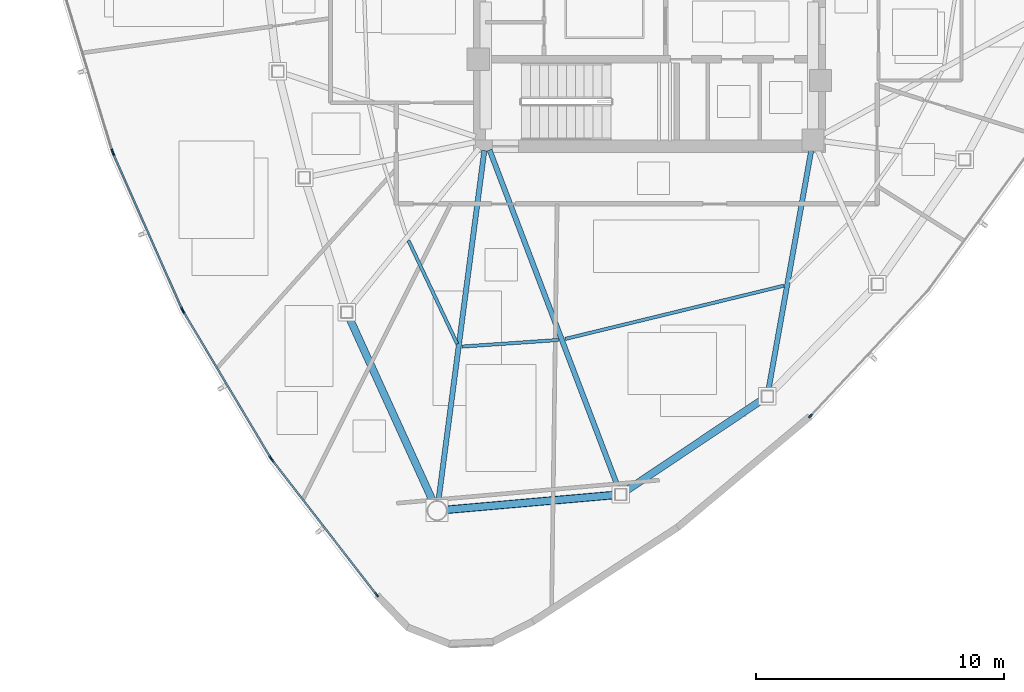
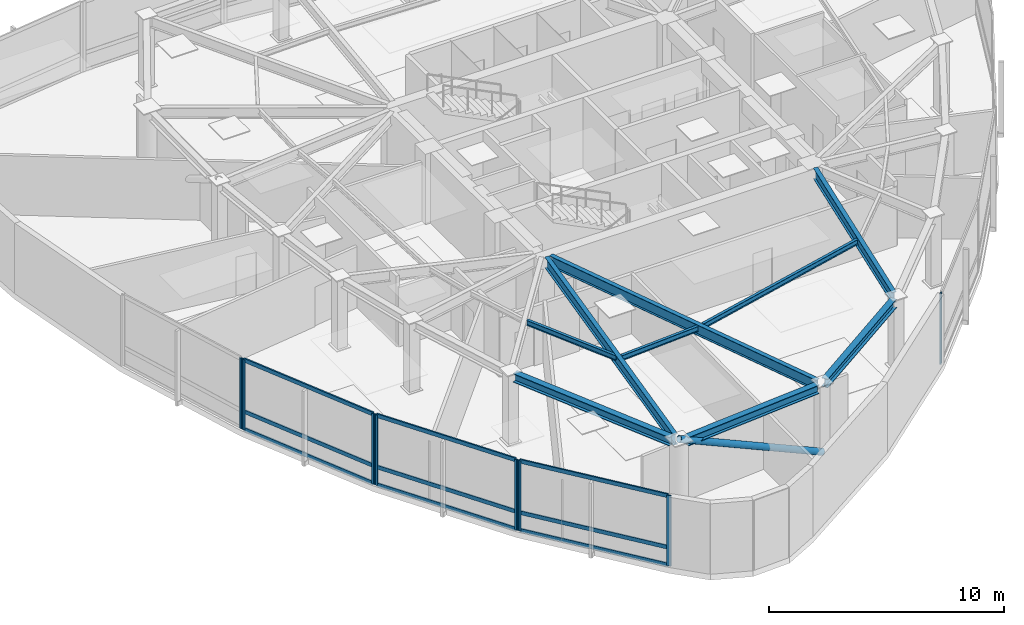
# One storey, part 2 of 14: 18 members, 9 beams, 5 elements without a shape of their own.
"""IFC4 building model written with IfcOpenShell, lengths in metres."""

from ifc_helpers import new_model, si_unit, direction, frame, origin, origin_2d, place, context, subcontext, project, spatial, hollow_rectangle, hollow_circle, i_section, extrude, source, transform, mapped, material, layer, layer_set, material_profile, profile_set, type_object, type_shapes, element, aggregate, save


model = new_model("IFC4")

# Units and contexts
model_context = context("Model", 3, precision=1e-05, world=origin(), true_north=direction((0.0, 1.0)))
body_context = subcontext(model_context, "Body", "Model", "MODEL_VIEW")
ifc_project = project(units=[si_unit("LENGTHUNIT", "METRE"), si_unit("AREAUNIT", "SQUARE_METRE"), si_unit("VOLUMEUNIT", "CUBIC_METRE"), si_unit("PLANEANGLEUNIT", "RADIAN"), si_unit("MASSUNIT", "GRAM", prefix="KILO")], contexts=[model_context])

# Site, building, storey
site_placement = place(None, origin())
site = spatial("IfcSite", under=ifc_project, at=site_placement, CompositionType="ELEMENT")
building_placement = place(site_placement, origin())
building = spatial("IfcBuilding", under=site, at=building_placement, Name="Tavelor Broadcast Tower", CompositionType="ELEMENT")
storey_placement = place(building_placement, frame((0.0, 0.0, 253.75)))
storey = spatial("IfcBuildingStorey", under=building, at=storey_placement, Name="L60", CompositionType="ELEMENT", Elevation=253.75)

# Beams
ifc_material_1 = material(Name="Steel S355", Category="steel")
ifc_material_profile_1 = material_profile(ifc_material_1, i_section(OverallWidth=0.135009765625, OverallDepth=0.27001953125, WebThickness=0.006591796875, FlangeThickness=0.01025390625, at=origin_2d()), Name="IPE 270")
ifc_profile_set_1 = profile_set([ifc_material_profile_1], Name="Steel S355")
beam_type_1 = type_object("IfcBeamType", Name="Composite Floor Joist T6 IPE 270", PredefinedType="JOIST", material=ifc_profile_set_1)
beam_1_placement = place(storey_placement, frame((40.28466796875, 34.7451171875, 3.514892578125), z_axis=(0.426527038786, -0.904474811802, 0.0), x_axis=(0.904474811802, 0.426527038786, 0.0)))
element("IfcBeam", 1, at=beam_1_placement, inside=storey, type_object=beam_type_1, Name="L60 Secondary Composite Floor Joist 06", PredefinedType="JOIST", context=body_context, shape_type="SweptSolid", body=[
    extrude(i_section(OverallWidth=0.135009765625, OverallDepth=0.27001953125, WebThickness=0.006591796875, FlangeThickness=0.01025390625, at=origin_2d()), origin(), (0.0, 0.0, 1.0), 4.60546875),
])
beam_2_placement = place(storey_placement, frame((42.440185546875, 30.46728515625, 3.514892578125), z_axis=(0.997669102567, 0.068237539396, 0.0), x_axis=(-0.068237539396, 0.997669102567, 0.0)))
element("IfcBeam", 2, at=beam_2_placement, inside=storey, type_object=beam_type_1, Name="L60 Secondary Composite Floor Joist 07", PredefinedType="JOIST", context=body_context, shape_type="SweptSolid", body=[
    extrude(i_section(OverallWidth=0.135009765625, OverallDepth=0.27001953125, WebThickness=0.006591796875, FlangeThickness=0.01025390625, at=origin_2d()), origin(), (0.0, 0.0, 1.0), 3.9033203125),
])
beam_3_placement = place(storey_placement, frame((46.598876953125, 30.7744140625, 3.514892578125), z_axis=(0.971610196631, 0.236587459098, 0.0), x_axis=(-0.236587459098, 0.971610196631, 0.0)))
element("IfcBeam", 3, at=beam_3_placement, inside=storey, type_object=beam_type_1, Name="L60 Secondary Composite Floor Joist 08", PredefinedType="JOIST", context=body_context, shape_type="SweptSolid", body=[
    extrude(i_section(OverallWidth=0.135009765625, OverallDepth=0.27001953125, WebThickness=0.006591796875, FlangeThickness=0.01025390625, at=origin_2d()), origin(), (0.0, 0.0, 1.0), 9.0849609375),
])
ifc_material_profile_2 = material_profile(ifc_material_1, i_section(OverallWidth=0.300048828125, OverallDepth=0.449951171875, WebThickness=0.013916015625, FlangeThickness=0.02587890625, at=origin_2d()), Name="HEB 450")
ifc_profile_set_2 = profile_set([ifc_material_profile_2], Name="Steel S355")
beam_type_2 = type_object("IfcBeamType", Name="Perimeter Spandrel Beam T6 HEB 450", PredefinedType="SPANDREL", material=ifc_profile_set_2)
beam_4_placement = place(storey_placement, frame((37.896484375, 31.635009765625, 3.425048828125), z_axis=(0.414463300231, -0.910066026595, 0.0), x_axis=(0.910066026595, 0.414463300231, 0.0)))
element("IfcBeam", 4, at=beam_4_placement, inside=storey, type_object=beam_type_2, Name="L60 Framed-Tube Ring Spandrel 06", PredefinedType="SPANDREL", context=body_context, shape_type="SweptSolid", body=[
    extrude(i_section(OverallWidth=0.300048828125, OverallDepth=0.449951171875, WebThickness=0.013916015625, FlangeThickness=0.02587890625, at=origin_2d()), origin(), (0.0, 0.0, 1.0), 8.16015625),
])
beam_5_placement = place(storey_placement, frame((41.828857421875, 23.887939453125, 3.425048828125), z_axis=(0.996154580768, 0.087613076733, 0.0), x_axis=(-0.087613076733, 0.996154580768, 0.0)))
element("IfcBeam", 5, at=beam_5_placement, inside=storey, type_object=beam_type_2, Name="L60 Framed-Tube Ring Spandrel 07", PredefinedType="SPANDREL", context=body_context, shape_type="SweptSolid", body=[
    extrude(i_section(OverallWidth=0.300048828125, OverallDepth=0.449951171875, WebThickness=0.013916015625, FlangeThickness=0.02587890625, at=origin_2d()), origin(), (0.0, 0.0, 1.0), 6.802001953125),
])
beam_6_placement = place(storey_placement, frame((49.043212890625, 24.638427734375, 3.425048828125), z_axis=(0.83097843332, 0.556304631795, 0.0), x_axis=(-0.556304631795, 0.83097843332, 0.0)))
element("IfcBeam", 6, at=beam_6_placement, inside=storey, type_object=beam_type_2, Name="L60 Framed-Tube Ring Spandrel 08", PredefinedType="SPANDREL", context=body_context, shape_type="SweptSolid", body=[
    extrude(i_section(OverallWidth=0.300048828125, OverallDepth=0.449951171875, WebThickness=0.013916015625, FlangeThickness=0.02587890625, at=origin_2d()), origin(), (0.0, 0.0, 1.0), 6.632568359375),
])

# Member
ifc_material_profile_3 = material_profile(ifc_material_1, hollow_circle(Radius=0.161865234375, WallThickness=0.01611328125, at=origin_2d()), Name="CHS 323.9x16")
ifc_profile_set_3 = profile_set([ifc_material_profile_3], Name="Steel S355")
member_type_1 = type_object("IfcMemberType", Name="Perimeter Tube Brace T6 CHS 323.9x16", PredefinedType="BRACE", material=ifc_profile_set_3)
member_1_placement = place(storey_placement, frame((48.843994140625, 24.5048828125, 0.0), z_axis=(-0.894155458176, -0.07863591001, 0.440797470808), x_axis=(0.087606208465, -0.996155184817, 0.0)))
element("IfcMember", 7, at=member_1_placement, inside=storey, type_object=member_type_1, Name="L60 Corner Tube Diagonal Brace 2", PredefinedType="BRACE", context=body_context, shape_type="SweptSolid", body=[
    extrude(hollow_circle(Radius=0.161865234375, WallThickness=0.01611328125, at=origin_2d()), origin(), (0.0, 0.0, 1.0), 8.2802734375),
])

# Beams
ifc_material_profile_4 = material_profile(ifc_material_1, i_section(OverallWidth=0.2099609375, OverallDepth=0.550048828125, WebThickness=0.010986328125, FlangeThickness=0.01708984375, at=origin_2d()), Name="IPE 550")
ifc_profile_set_4 = profile_set([ifc_material_profile_4], Name="Steel S355")
beam_type_3 = type_object("IfcBeamType", Name="Radial Floor Girder T6 IPE 550", PredefinedType="BEAM", material=ifc_profile_set_4)
beam_7_placement = place(storey_placement, frame((43.34375, 38.37158203125, 3.375), z_axis=(-0.130001183832, -0.991513838634, 0.0), x_axis=(0.991513838634, -0.130001183832, 0.0)))
element("IfcBeam", 8, at=beam_7_placement, inside=storey, type_object=beam_type_3, Name="L60 Radial Primary Floor Girder 07", PredefinedType="BEAM", context=body_context, shape_type="SweptSolid", body=[
    extrude(i_section(OverallWidth=0.2099609375, OverallDepth=0.550048828125, WebThickness=0.010986328125, FlangeThickness=0.01708984375, at=origin_2d()), origin(), (0.0, 0.0, 1.0), 14.251953125),
])
beam_8_placement = place(storey_placement, frame((43.5537109375, 38.396240234375, 3.375), z_axis=(0.355897443136, -0.934525018375, 0.0), x_axis=(0.934525018375, 0.355897443136, 0.0)))
element("IfcBeam", 9, at=beam_8_placement, inside=storey, type_object=beam_type_3, Name="L60 Radial Primary Floor Girder 08", PredefinedType="BEAM", context=body_context, shape_type="SweptSolid", body=[
    extrude(i_section(OverallWidth=0.2099609375, OverallDepth=0.550048828125, WebThickness=0.010986328125, FlangeThickness=0.01708984375, at=origin_2d()), origin(), (0.0, 0.0, 1.0), 14.62451171875),
])
beam_9_placement = place(storey_placement, frame((56.524169921875, 38.374755859375, 3.375), z_axis=(-0.175770007633, -0.984431259366, 0.0), x_axis=(0.984431259366, -0.175770007633, 0.0)))
element("IfcBeam", 10, at=beam_9_placement, inside=storey, type_object=beam_type_3, Name="L60 Radial Primary Floor Girder 09", PredefinedType="BEAM", context=body_context, shape_type="SweptSolid", body=[
    extrude(i_section(OverallWidth=0.2099609375, OverallDepth=0.550048828125, WebThickness=0.010986328125, FlangeThickness=0.01708984375, at=origin_2d()), origin(), (0.0, 0.0, 1.0), 9.829833984375),
])

# Curtain wall, member
ifc_material_2 = material(Name="Architectural Anodized Aluminium", Category="aluminium")
ifc_layer = layer(ifc_material_2, 0.199951171875)
ifc_layer_set = layer_set([ifc_layer], Name="Architectural Anodized Aluminium")
curtain_wall_type = type_object("IfcCurtainWallType", Name="Tower High-Zone Triple-Glazed Curtain Wall CW04", PredefinedType="NOTDEFINED", material=ifc_layer_set)
curtain_wall_1_placement = place(storey_placement, origin())
curtain_wall_1 = element("IfcCurtainWall", 11, at=curtain_wall_1_placement, inside=storey, type_object=curtain_wall_type, Name="L60 Curtain Wall CW04 Run 649", PredefinedType="NOTDEFINED")
ifc_material_profile_5 = material_profile(ifc_material_2, hollow_rectangle(XDim=0.070068359375, YDim=0.199951171875, WallThickness=0.02197265625, at=origin_2d()), Name="RHS 70x200x22")
ifc_profile_set_5 = profile_set([ifc_material_profile_5], Name="Architectural Anodized Aluminium")
member_type_2 = type_object("IfcMemberType", Name="CW04 Extruded Aluminium Mullion 70x200", PredefinedType="MULLION", material=ifc_profile_set_5)
shared_shape_1 = source(origin(), body_context, "Body", "SweptSolid", [
    extrude(hollow_rectangle(XDim=0.070068359375, YDim=0.199951171875, WallThickness=0.02197265625, at=origin_2d()), origin(), (0.0, 0.0, 1.0), 3.64990234375),
])
type_shapes(member_type_2, [shared_shape_1])
member_2_placement = place(storey_placement, frame((28.34765625, 38.339599609375, 0.0), z_axis=(0.0, 0.0, 1.0), x_axis=(0.956684855771, 0.291125551504, 0.0)))
member_2 = element("IfcMember", 12, at=member_2_placement, type_object=member_type_2, Name="CW04 mullion 2", PredefinedType="MULLION", context=body_context, shape_type="MappedRepresentation", body=[
    mapped(shared_shape_1, transform((0.0, 0.0, 0.0), scale=1.0)),
])
aggregate(curtain_wall_1, [member_2])

# Curtain wall, members
curtain_wall_2_placement = place(storey_placement, origin())
curtain_wall_2 = element("IfcCurtainWall", 13, at=curtain_wall_2_placement, inside=storey, type_object=curtain_wall_type, Name="L60 Curtain Wall CW04 Run 650", PredefinedType="NOTDEFINED")
member_3_placement = place(storey_placement, frame((28.38232421875, 38.24609375, 0.0), z_axis=(0.0, 0.0, 1.0), x_axis=(0.914429972683, 0.404744147653, 0.0)))
member_3 = element("IfcMember", 14, at=member_3_placement, type_object=member_type_2, Name="CW04 mullion 1", PredefinedType="MULLION", context=body_context, shape_type="MappedRepresentation", body=[
    mapped(shared_shape_1, transform((0.0, 0.0, 0.0), scale=1.0)),
])
member_4_placement = place(storey_placement, frame((31.161376953125, 31.96728515625, 0.0), z_axis=(0.0, 0.0, 1.0), x_axis=(0.914429972683, 0.404744147653, 0.0)))
member_4 = element("IfcMember", 15, at=member_4_placement, type_object=member_type_2, Name="CW04 mullion 2", PredefinedType="MULLION", context=body_context, shape_type="MappedRepresentation", body=[
    mapped(shared_shape_1, transform((0.0, 0.0, 0.0), scale=1.0)),
])

curtain_wall_3_placement = place(storey_placement, origin())
curtain_wall_3 = element("IfcCurtainWall", 16, at=curtain_wall_3_placement, inside=storey, type_object=curtain_wall_type, Name="L60 Curtain Wall CW04 Run 651", PredefinedType="NOTDEFINED")
member_5_placement = place(storey_placement, frame((31.207275390625, 31.878662109375, 0.0), z_axis=(0.0, 0.0, 1.0), x_axis=(0.858730694362, 0.512427160248, 0.0)))
member_5 = element("IfcMember", 17, at=member_5_placement, type_object=member_type_2, Name="CW04 mullion 1", PredefinedType="MULLION", context=body_context, shape_type="MappedRepresentation", body=[
    mapped(shared_shape_1, transform((0.0, 0.0, 0.0), scale=1.0)),
])
member_6_placement = place(storey_placement, frame((34.725830078125, 25.982421875, 0.0), z_axis=(0.0, 0.0, 1.0), x_axis=(0.858730694362, 0.512427160248, 0.0)))
member_6 = element("IfcMember", 18, at=member_6_placement, type_object=member_type_2, Name="CW04 mullion 2", PredefinedType="MULLION", context=body_context, shape_type="MappedRepresentation", body=[
    mapped(shared_shape_1, transform((0.0, 0.0, 0.0), scale=1.0)),
])

curtain_wall_4_placement = place(storey_placement, origin())
curtain_wall_4 = element("IfcCurtainWall", 19, at=curtain_wall_4_placement, inside=storey, type_object=curtain_wall_type, Name="L60 Curtain Wall CW04 Run 652", PredefinedType="NOTDEFINED")
member_7_placement = place(storey_placement, frame((34.7822265625, 25.89990234375, 0.0), z_axis=(0.0, 0.0, 1.0), x_axis=(0.790415226284, 0.612571440779, 0.0)))
member_7 = element("IfcMember", 20, at=member_7_placement, type_object=member_type_2, Name="CW04 mullion 1", PredefinedType="MULLION", context=body_context, shape_type="MappedRepresentation", body=[
    mapped(shared_shape_1, transform((0.0, 0.0, 0.0), scale=1.0)),
])
member_8_placement = place(storey_placement, frame((38.998046875, 20.460205078125, 0.0), z_axis=(0.0, 0.0, 1.0), x_axis=(0.790415226284, 0.612571440779, 0.0)))
member_8 = element("IfcMember", 21, at=member_8_placement, type_object=member_type_2, Name="CW04 mullion 2", PredefinedType="MULLION", context=body_context, shape_type="MappedRepresentation", body=[
    mapped(shared_shape_1, transform((0.0, 0.0, 0.0), scale=1.0)),
])

# Curtain wall, member
curtain_wall_5_placement = place(storey_placement, origin())
curtain_wall_5 = element("IfcCurtainWall", 22, at=curtain_wall_5_placement, inside=storey, type_object=curtain_wall_type, Name="L60 Curtain Wall CW04 Run 653", PredefinedType="NOTDEFINED")
member_9_placement = place(storey_placement, frame((56.49462890625, 27.669921875, 0.0), z_axis=(0.0, 0.0, 1.0), x_axis=(-0.730451737059, 0.682964318122, 0.0)))
member_9 = element("IfcMember", 23, at=member_9_placement, type_object=member_type_2, Name="CW04 mullion 1", PredefinedType="MULLION", context=body_context, shape_type="MappedRepresentation", body=[
    mapped(shared_shape_1, transform((0.0, 0.0, 0.0), scale=1.0)),
])
aggregate(curtain_wall_5, [member_9])

# Member
ifc_material_profile_6 = material_profile(ifc_material_2, hollow_rectangle(XDim=0.070068359375, YDim=0.199951171875, WallThickness=0.02197265625, at=origin_2d()), Name="RHS 70x200x22")
ifc_profile_set_6 = profile_set([ifc_material_profile_6], Name="Architectural Anodized Aluminium")
member_type_3 = type_object("IfcMemberType", Name="CW04 Extruded Aluminium Transom 70x200", PredefinedType="USERDEFINED", material=ifc_profile_set_6)
shared_shape_2 = source(origin(), body_context, "Body", "SweptSolid", [
    extrude(hollow_rectangle(XDim=0.070068359375, YDim=0.199951171875, WallThickness=0.02197265625, at=origin_2d()), origin(), (0.0, 0.0, 1.0), 6.796142578125),
])
member_10_placement = place(storey_placement, frame((28.396484375, 38.214111328125, 0.034912109375), z_axis=(0.404748096922, -0.914428224651, 0.0), x_axis=(0.914428224651, 0.404748096922, 0.0)))
member_10 = element("IfcMember", 24, at=member_10_placement, type_object=member_type_3, Name="CW04 transom 1.1", ObjectType="TRANSOM", PredefinedType="USERDEFINED", context=body_context, shape_type="MappedRepresentation", body=[
    mapped(shared_shape_2, transform((0.0, 0.0, 0.0), scale=1.0)),
])

member_11_placement = place(storey_placement, frame((28.396484375, 38.214111328125, 0.949951171875), z_axis=(0.404748096922, -0.914428224651, 0.0), x_axis=(0.914428224651, 0.404748096922, 0.0)))
member_11 = element("IfcMember", 25, at=member_11_placement, type_object=member_type_3, Name="CW04 transom 1.2", ObjectType="TRANSOM", PredefinedType="USERDEFINED", context=body_context, shape_type="MappedRepresentation", body=[
    mapped(shared_shape_2, transform((0.0, 0.0, 0.0), scale=1.0)),
])

member_12_placement = place(storey_placement, frame((28.396484375, 38.214111328125, 3.614990234375), z_axis=(0.404748096922, -0.914428224651, 0.0), x_axis=(0.914428224651, 0.404748096922, 0.0)))
member_12 = element("IfcMember", 26, at=member_12_placement, type_object=member_type_3, Name="CW04 transom 1.3", ObjectType="TRANSOM", PredefinedType="USERDEFINED", context=body_context, shape_type="MappedRepresentation", body=[
    mapped(shared_shape_2, transform((0.0, 0.0, 0.0), scale=1.0)),
])

aggregate(curtain_wall_2, [member_3, member_4, member_10, member_11, member_12])

shared_shape_3 = source(origin(), body_context, "Body", "SweptSolid", [
    extrude(hollow_rectangle(XDim=0.070068359375, YDim=0.199951171875, WallThickness=0.02197265625, at=origin_2d()), origin(), (0.0, 0.0, 1.0), 6.79638671875),
])
member_13_placement = place(storey_placement, frame((31.225341796875, 31.8486328125, 0.034912109375), z_axis=(0.512434011183, -0.858726606192, 0.0), x_axis=(0.858726606192, 0.512434011183, 0.0)))
member_13 = element("IfcMember", 27, at=member_13_placement, type_object=member_type_3, Name="CW04 transom 1.1", ObjectType="TRANSOM", PredefinedType="USERDEFINED", context=body_context, shape_type="MappedRepresentation", body=[
    mapped(shared_shape_3, transform((0.0, 0.0, 0.0), scale=1.0)),
])

member_14_placement = place(storey_placement, frame((31.225341796875, 31.8486328125, 0.949951171875), z_axis=(0.512434011183, -0.858726606192, 0.0), x_axis=(0.858726606192, 0.512434011183, 0.0)))
member_14 = element("IfcMember", 28, at=member_14_placement, type_object=member_type_3, Name="CW04 transom 1.2", ObjectType="TRANSOM", PredefinedType="USERDEFINED", context=body_context, shape_type="MappedRepresentation", body=[
    mapped(shared_shape_3, transform((0.0, 0.0, 0.0), scale=1.0)),
])

member_15_placement = place(storey_placement, frame((31.225341796875, 31.8486328125, 3.614990234375), z_axis=(0.512434011183, -0.858726606192, 0.0), x_axis=(0.858726606192, 0.512434011183, 0.0)))
member_15 = element("IfcMember", 29, at=member_15_placement, type_object=member_type_3, Name="CW04 transom 1.3", ObjectType="TRANSOM", PredefinedType="USERDEFINED", context=body_context, shape_type="MappedRepresentation", body=[
    mapped(shared_shape_3, transform((0.0, 0.0, 0.0), scale=1.0)),
])

aggregate(curtain_wall_3, [member_5, member_6, member_13, member_14, member_15])

shared_shape_4 = source(origin(), body_context, "Body", "SweptSolid", [
    extrude(hollow_rectangle(XDim=0.070068359375, YDim=0.199951171875, WallThickness=0.02197265625, at=origin_2d()), origin(), (0.0, 0.0, 1.0), 6.812255859375),
])
type_shapes(member_type_3, [shared_shape_2, shared_shape_3, shared_shape_4])
member_16_placement = place(storey_placement, frame((34.803466796875, 25.872314453125, 0.034912109375), z_axis=(0.612580061668, -0.790408545024, 0.0), x_axis=(0.790408545024, 0.612580061668, 0.0)))
member_16 = element("IfcMember", 30, at=member_16_placement, type_object=member_type_3, Name="CW04 transom 1.1", ObjectType="TRANSOM", PredefinedType="USERDEFINED", context=body_context, shape_type="MappedRepresentation", body=[
    mapped(shared_shape_4, transform((0.0, 0.0, 0.0), scale=1.0)),
])

member_17_placement = place(storey_placement, frame((34.803466796875, 25.872314453125, 0.949951171875), z_axis=(0.612580061668, -0.790408545024, 0.0), x_axis=(0.790408545024, 0.612580061668, 0.0)))
member_17 = element("IfcMember", 31, at=member_17_placement, type_object=member_type_3, Name="CW04 transom 1.2", ObjectType="TRANSOM", PredefinedType="USERDEFINED", context=body_context, shape_type="MappedRepresentation", body=[
    mapped(shared_shape_4, transform((0.0, 0.0, 0.0), scale=1.0)),
])

member_18_placement = place(storey_placement, frame((34.803466796875, 25.872314453125, 3.614990234375), z_axis=(0.612580061668, -0.790408545024, 0.0), x_axis=(0.790408545024, 0.612580061668, 0.0)))
member_18 = element("IfcMember", 32, at=member_18_placement, type_object=member_type_3, Name="CW04 transom 1.3", ObjectType="TRANSOM", PredefinedType="USERDEFINED", context=body_context, shape_type="MappedRepresentation", body=[
    mapped(shared_shape_4, transform((0.0, 0.0, 0.0), scale=1.0)),
])

aggregate(curtain_wall_4, [member_7, member_8, member_16, member_17, member_18])

save(model, "model.ifc")
